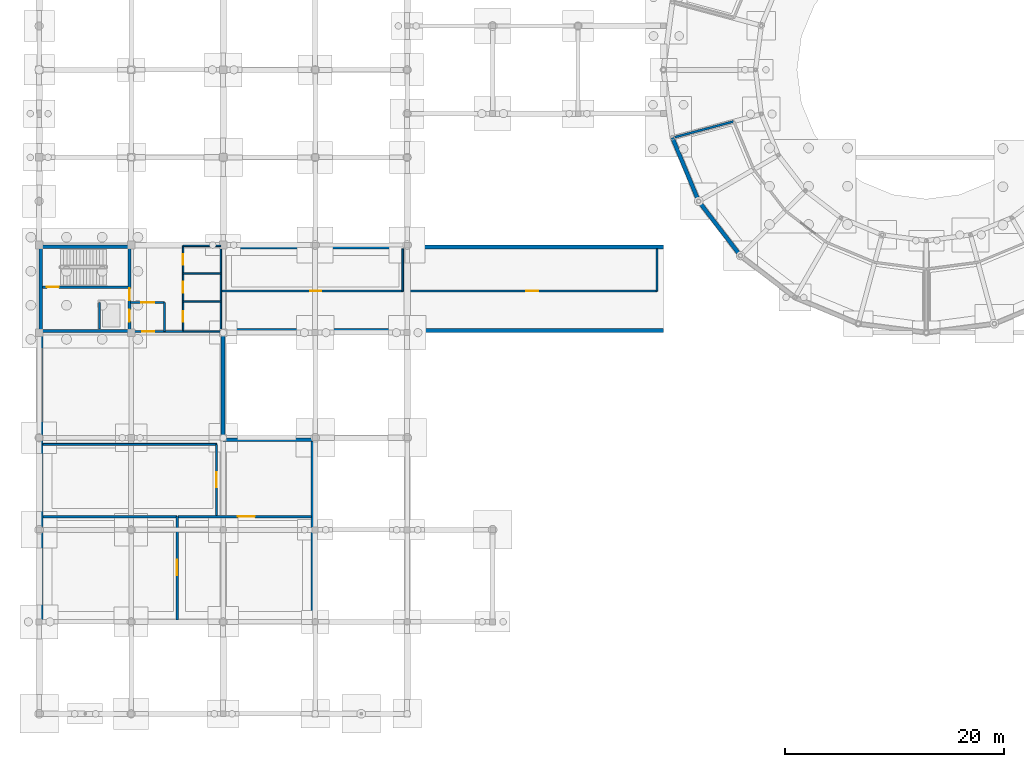
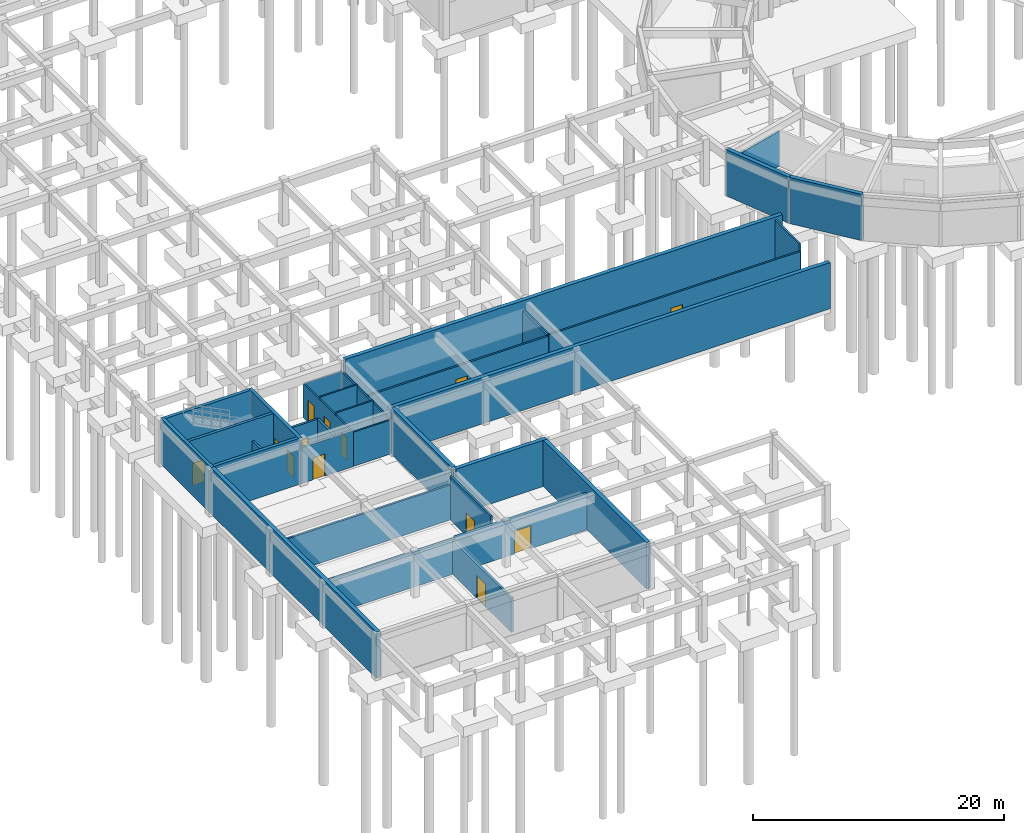
# One storey, part 29 of 43: 33 walls, 13 doors, 13 openings.
"""IFC4 building model written with IfcOpenShell, lengths in metres."""

from ifc_helpers import new_model, si_unit, derived_unit, direction, frame, frame_2d, origin, place, context, subcontext, project, spatial, rectangle, extrude, material, layer, layer_set, type_object, element, fill, save


model = new_model("IFC4")

# Units and contexts
model_context = context("Model", 3, precision=1e-05, world=origin(), true_north=direction((0.0, 1.0)))
body_context = subcontext(model_context, "Body", "Model", "MODEL_VIEW")
ifc_project = project(units=[si_unit("LENGTHUNIT", "METRE"), si_unit("AREAUNIT", "SQUARE_METRE"), si_unit("VOLUMEUNIT", "CUBIC_METRE"), si_unit("PLANEANGLEUNIT", "RADIAN"), si_unit("MASSUNIT", "GRAM", prefix="KILO"), derived_unit("THERMALTRANSMITTANCEUNIT", [(si_unit("POWERUNIT", "WATT"), 1), (si_unit("AREAUNIT", "SQUARE_METRE"), -1), (si_unit("THERMODYNAMICTEMPERATUREUNIT", "KELVIN"), -1)])], contexts=[model_context])

# Site, building, storey
site_placement = place(None, origin())
site = spatial("IfcSite", under=ifc_project, at=site_placement, CompositionType="ELEMENT")
building_placement = place(site_placement, origin())
building = spatial("IfcBuilding", under=site, at=building_placement, Name="Yasenodar Specialist Clinic", CompositionType="ELEMENT")
storey_placement = place(building_placement, frame((0.0, 0.0, -4.5)))
storey = spatial("IfcBuildingStorey", under=building, at=storey_placement, Name="B1", CompositionType="ELEMENT", Elevation=-4.5)

# Wall, opening, door
ifc_material_1 = material(Name="Acoustic Double-Gypsum Consulting Partition")
ifc_layer_1 = layer(ifc_material_1, 0.159912109375)
ifc_layer_set_1 = layer_set([ifc_layer_1], Name="Acoustic Double-Gypsum Consulting Partition")
wall_type_1 = type_object("IfcWallType", Name="IW-CONS-160", PredefinedType="PARTITIONING", material=ifc_layer_set_1)
wall_1_placement = place(storey_placement, frame((56.39990234375, 38.60009765625, 0.0), z_axis=(0.0, 0.0, 1.0), x_axis=(-1.0, 0.0, 0.0)))
wall_1 = element("IfcWall", 1, at=wall_1_placement, inside=storey, type_object=wall_type_1, Name="B1 Clean Medical Linen Store Partition", PredefinedType="PARTITIONING", context=body_context, shape_type="SweptSolid", body=[
    extrude(rectangle(XDim=23.135009765625, YDim=0.159912109375, at=frame_2d((11.5673828125, 0.0))), origin(), (0.0, 0.0, 1.0), 3.512939453125),
])
opening_1_placement = place(wall_1_placement, frame((10.85009765625, 0.0, 0.0)))
opening_1 = element("IfcOpeningElement", 2, at=opening_1_placement, cuts=wall_1, Name="Opening D-04", PredefinedType="OPENING", context=body_context, shape_type="SweptSolid", body=[
    extrude(rectangle(XDim=1.06005859375, YDim=2.159912109375, at=frame_2d((0.530029296875, 1.080078125))), frame((0.0, 0.08984375, 0.0), z_axis=(0.0, -1.0, 0.0), x_axis=(1.0, 0.0, 0.0)), (0.0, 0.0, 1.0), 0.179931640625),
])
ifc_material_2 = material(Name="Powder-Coated Steel and Acoustic Laminate Leaf", Category="steel")
door_type_1 = type_object("IfcDoorType", Name="DR-CLN-106", OperationType="NOTDEFINED", PredefinedType="DOOR", material=ifc_material_2)
door_1_placement = place(opening_1_placement, origin())
door_1 = element("IfcDoor", 3, at=door_1_placement, inside=storey, type_object=door_type_1, Name="B1 Clean Medical Linen Store Door", OperationType="SINGLE_SWING_LEFT", OverallHeight=2.159912109375, OverallWidth=1.06005859375, PredefinedType="DOOR", context=body_context, shape_type="SweptSolid", body=[
    extrude(rectangle(XDim=1.06005859375, YDim=2.159912109375, at=frame_2d((0.530029296875, 1.080078125))), frame((0.0, 0.02490234375, 0.0), z_axis=(0.0, -1.0, 0.0), x_axis=(1.0, 0.0, 0.0)), (0.0, 0.0, 1.0), 0.050048828125),
])
fill(opening_1, door_1)

# Wall
wall_2_placement = place(storey_placement, frame((56.39990234375, 42.4599609375, 0.0), z_axis=(0.0, 0.0, 1.0), x_axis=(0.0, -1.0, 0.0)))
element("IfcWall", 4, at=wall_2_placement, inside=storey, type_object=wall_type_1, Name="B1 Clean Medical Linen Store Partition", PredefinedType="PARTITIONING", context=body_context, shape_type="SweptSolid", body=[
    extrude(rectangle(XDim=3.85986328125, YDim=0.159912109375, at=frame_2d((1.929931640625, 0.0))), origin(), (0.0, 0.0, 1.0), 4.22998046875),
])

# Wall, opening, door
ifc_material_3 = material(Name="Cleanroom Laboratory Partition")
ifc_layer_2 = layer(ifc_material_3, 0.169921875)
ifc_layer_set_2 = layer_set([ifc_layer_2], Name="Cleanroom Laboratory Partition")
wall_type_2 = type_object("IfcWallType", Name="IW-LAB-170", PredefinedType="PARTITIONING", material=ifc_layer_set_2)
wall_3_placement = place(storey_placement, frame((33.199951171875, 38.60009765625, 0.0), z_axis=(0.0, 0.0, 1.0), x_axis=(-1.0, 0.0, 0.0)))
wall_3 = element("IfcWall", 5, at=wall_3_placement, inside=storey, type_object=wall_type_2, Name="B1 Medical Gas Manifold Room Partition", PredefinedType="PARTITIONING", context=body_context, shape_type="SweptSolid", body=[
    extrude(rectangle(XDim=16.550048828125, YDim=0.169921875, at=frame_2d((8.27490234375, 0.0))), origin(), (0.0, 0.0, 1.0), 3.4130859375),
])
opening_2_placement = place(wall_3_placement, frame((7.449951171875, 0.0, 0.0)))
opening_2 = element("IfcOpeningElement", 6, at=opening_2_placement, cuts=wall_3, Name="Opening D-03", PredefinedType="OPENING", context=body_context, shape_type="SweptSolid", body=[
    extrude(rectangle(XDim=1.02001953125, YDim=2.14990234375, at=frame_2d((0.510009765625, 1.074951171875))), frame((0.0, 0.094970703125, 0.0), z_axis=(0.0, -1.0, 0.0), x_axis=(1.0, 0.0, 0.0)), (0.0, 0.0, 1.0), 0.18994140625),
])
door_type_2 = type_object("IfcDoorType", Name="DR-CLN-102", OperationType="NOTDEFINED", PredefinedType="DOOR", material=ifc_material_2)
door_2_placement = place(opening_2_placement, origin())
door_2 = element("IfcDoor", 7, at=door_2_placement, inside=storey, type_object=door_type_2, Name="B1 Medical Gas Manifold Room Door", OperationType="SINGLE_SWING_RIGHT", OverallHeight=2.14990234375, OverallWidth=1.02001953125, PredefinedType="DOOR", context=body_context, shape_type="SweptSolid", body=[
    extrude(rectangle(XDim=1.02001953125, YDim=2.14990234375, at=frame_2d((0.510009765625, 1.074951171875))), frame((0.0, 0.02490234375, 0.0), z_axis=(0.0, -1.0, 0.0), x_axis=(1.0, 0.0, 0.0)), (0.0, 0.0, 1.0), 0.050048828125),
])
fill(opening_2, door_2)

# Wall
wall_4_placement = place(storey_placement, frame((33.199951171875, 42.4599609375, 0.0), z_axis=(0.0, 0.0, 1.0), x_axis=(0.0, -1.0, 0.0)))
element("IfcWall", 8, at=wall_4_placement, inside=storey, type_object=wall_type_2, Name="B1 Medical Gas Manifold Room Partition", PredefinedType="PARTITIONING", context=body_context, shape_type="SweptSolid", body=[
    extrude(rectangle(XDim=3.85986328125, YDim=0.169921875, at=frame_2d((1.929931640625, 0.0))), origin(), (0.0, 0.0, 1.0), 3.512939453125),
])

# Wall, opening, door
ifc_material_4 = material(Name="Shielded CT Control Partition")
ifc_layer_3 = layer(ifc_material_4, 0.22998046875)
ifc_layer_set_3 = layer_set([ifc_layer_3], Name="Shielded CT Control Partition")
wall_type_3 = type_object("IfcWallType", Name="IW-LEAD-230", PredefinedType="PARTITIONING", material=ifc_layer_set_3)
wall_5_placement = place(storey_placement, frame((12.60009765625, 18.0, 0.0), z_axis=(0.0, 0.0, 1.0), x_axis=(0.0, -1.0, 0.0)))
wall_5 = element("IfcWall", 9, at=wall_5_placement, inside=storey, type_object=wall_type_3, Name="B1 Radiopharmacy and Isotope Bunker Partition", PredefinedType="PARTITIONING", context=body_context, shape_type="SweptSolid", body=[
    extrude(rectangle(XDim=9.43994140625, YDim=0.22998046875, at=frame_2d((4.719970703125, 0.0))), origin(), (0.0, 0.0, 1.0), 3.31298828125),
])
opening_3_placement = place(wall_5_placement, frame((3.949951171875, 0.0, 0.0)))
opening_3 = element("IfcOpeningElement", 10, at=opening_3_placement, cuts=wall_5, Name="Opening XD-01", PredefinedType="OPENING", context=body_context, shape_type="SweptSolid", body=[
    extrude(rectangle(XDim=1.39990234375, YDim=2.199951171875, at=frame_2d((0.699951171875, 1.10009765625))), frame((0.0, 0.125, 0.0), z_axis=(0.0, -1.0, 0.0), x_axis=(1.0, 0.0, 0.0)), (0.0, 0.0, 1.0), 0.25),
])
ifc_material_5 = material(Name="Fire-Rated Insulated Steel Door", Category="steel")
door_type_3 = type_object("IfcDoorType", Name="DR-LEAD-140", OperationType="NOTDEFINED", PredefinedType="DOOR", material=ifc_material_5)
door_3_placement = place(opening_3_placement, origin())
door_3 = element("IfcDoor", 11, at=door_3_placement, inside=storey, type_object=door_type_3, Name="B1 Radiopharmacy and Isotope Bunker Door", OperationType="SINGLE_SWING_RIGHT", OverallHeight=2.199951171875, OverallWidth=1.39990234375, PredefinedType="DOOR", context=body_context, shape_type="SweptSolid", body=[
    extrude(rectangle(XDim=1.39990234375, YDim=2.199951171875, at=frame_2d((0.699951171875, 1.10009765625))), frame((0.0, 0.02490234375, 0.0), z_axis=(0.0, -1.0, 0.0), x_axis=(1.0, 0.0, 0.0)), (0.0, 0.0, 1.0), 0.050048828125),
])
fill(opening_3, door_3)

# Wall
wall_6_placement = place(storey_placement, frame((0.340087890625, 18.0, 0.0), z_axis=(0.0, 0.0, 1.0), x_axis=(1.0, 0.0, 0.0)))
element("IfcWall", 12, at=wall_6_placement, inside=storey, type_object=wall_type_3, Name="B1 Radiopharmacy and Isotope Bunker Partition", PredefinedType="PARTITIONING", context=body_context, shape_type="SweptSolid", body=[
    extrude(rectangle(XDim=12.260009765625, YDim=0.22998046875, at=frame_2d((6.1298828125, 0.0))), origin(), (0.0, 0.0, 1.0), 3.4130859375),
])

# Wall, opening, door
ifc_material_6 = material(Name="Barium-Plaster and Lead-Lined X-Ray Wall")
ifc_layer_4 = layer(ifc_material_6, 0.2548828125)
ifc_layer_set_4 = layer_set([ifc_layer_4], Name="Barium-Plaster and Lead-Lined X-Ray Wall")
wall_type_4 = type_object("IfcWallType", Name="IW-LEAD-255", PredefinedType="PARTITIONING", material=ifc_layer_set_4)
wall_7_placement = place(storey_placement, frame((12.695068359375, 18.0, 0.0), z_axis=(0.0, 0.0, 1.0), x_axis=(1.0, 0.0, 0.0)))
wall_7 = element("IfcWall", 13, at=wall_7_placement, inside=storey, type_object=wall_type_4, Name="B1 MRI Chiller and Quench Plant Room Partition", PredefinedType="PARTITIONING", context=body_context, shape_type="SweptSolid", body=[
    extrude(rectangle(XDim=12.1650390625, YDim=0.2548828125, at=frame_2d((6.08251953125, 0.0))), origin(), (0.0, 0.0, 1.0), 3.512939453125),
])
opening_4_placement = place(wall_7_placement, frame((5.455078125, 0.0, 0.0)))
opening_4 = element("IfcOpeningElement", 14, at=opening_4_placement, cuts=wall_7, Name="Opening XD-02", PredefinedType="OPENING", context=body_context, shape_type="SweptSolid", body=[
    extrude(rectangle(XDim=1.550048828125, YDim=2.219970703125, at=frame_2d((0.77490234375, 1.10986328125))), frame((0.0, 0.137451171875, 0.0), z_axis=(0.0, -1.0, 0.0), x_axis=(1.0, 0.0, 0.0)), (0.0, 0.0, 1.0), 0.27490234375),
])
door_type_4 = type_object("IfcDoorType", Name="DR-LEAD-155", OperationType="DOUBLE_DOOR_SINGLE_SWING", PredefinedType="DOOR", material=ifc_material_5)
door_4_placement = place(opening_4_placement, origin())
door_4 = element("IfcDoor", 15, at=door_4_placement, inside=storey, type_object=door_type_4, Name="B1 MRI Chiller and Quench Plant Room Door", OperationType="DOUBLE_DOOR_SINGLE_SWING", OverallHeight=2.219970703125, OverallWidth=1.550048828125, PredefinedType="DOOR", context=body_context, shape_type="SweptSolid", body=[
    extrude(rectangle(XDim=1.550048828125, YDim=2.219970703125, at=frame_2d((0.77490234375, 1.10986328125))), frame((0.0, 0.02490234375, 0.0), z_axis=(0.0, -1.0, 0.0), x_axis=(1.0, 0.0, 0.0)), (0.0, 0.0, 1.0), 0.050048828125),
])
fill(opening_4, door_4)

ifc_material_7 = material(Name="Fire-Rated Gypsum and Mineral-Wool Wall")
ifc_layer_5 = layer(ifc_material_7, 0.195068359375)
ifc_layer_set_5 = layer_set([ifc_layer_5], Name="Fire-Rated Gypsum and Mineral-Wool Wall")
wall_type_5 = type_object("IfcWallType", Name="IW-LOBBY-195", PredefinedType="PARTITIONING", material=ifc_layer_set_5)
wall_8_placement = place(storey_placement, frame((8.35009765625, 37.550048828125, 0.0), z_axis=(0.0, 0.0, 1.0), x_axis=(1.0, 0.0, 0.0)))
wall_8 = element("IfcWall", 16, at=wall_8_placement, inside=storey, type_object=wall_type_5, Name="B1 C1 Passenger Lift Lobby North Wall", PredefinedType="PARTITIONING", context=body_context, shape_type="SweptSolid", body=[
    extrude(rectangle(XDim=3.099853515625, YDim=0.195068359375, at=frame_2d((1.5498046875, 0.0))), origin(), (0.0, 0.0, 1.0), 3.613037109375),
])
opening_5_placement = place(wall_8_placement, frame((0.949951171875, 0.0, 0.0)))
opening_5 = element("IfcOpeningElement", 17, at=opening_5_placement, cuts=wall_8, Name="Opening FD-02", PredefinedType="OPENING", context=body_context, shape_type="SweptSolid", body=[
    extrude(rectangle(XDim=1.199951171875, YDim=2.14990234375, at=frame_2d((0.60009765625, 1.074951171875))), frame((0.0, 0.107421875, 0.0), z_axis=(0.0, -1.0, 0.0), x_axis=(1.0, 0.0, 0.0)), (0.0, 0.0, 1.0), 0.215087890625),
])
door_type_5 = type_object("IfcDoorType", Name="DR-FD-120", OperationType="NOTDEFINED", PredefinedType="DOOR", material=ifc_material_5)
door_5_placement = place(opening_5_placement, origin())
door_5 = element("IfcDoor", 18, at=door_5_placement, inside=storey, type_object=door_type_5, Name="B1 C1 Passenger Lift Lobby Door", OperationType="SINGLE_SWING_LEFT", OverallHeight=2.14990234375, OverallWidth=1.199951171875, PredefinedType="DOOR", context=body_context, shape_type="SweptSolid", body=[
    extrude(rectangle(XDim=1.199951171875, YDim=2.14990234375, at=frame_2d((0.60009765625, 1.074951171875))), frame((0.0, 0.02490234375, 0.0), z_axis=(0.0, -1.0, 0.0), x_axis=(1.0, 0.0, 0.0)), (0.0, 0.0, 1.0), 0.050048828125),
])
fill(opening_5, door_5)

# Wall
wall_9_placement = place(storey_placement, frame((11.449951171875, 34.89990234375, 0.0), z_axis=(0.0, 0.0, 1.0), x_axis=(0.0, 1.0, 0.0)))
element("IfcWall", 19, at=wall_9_placement, inside=storey, type_object=wall_type_5, Name="B1 C1 Passenger Lift Lobby East Wall", PredefinedType="PARTITIONING", context=body_context, shape_type="SweptSolid", body=[
    extrude(rectangle(XDim=2.650146484375, YDim=0.195068359375, at=frame_2d((1.3251953125, 0.0))), origin(), (0.0, 0.0, 1.0), 3.613037109375),
])

# Wall, opening, door
wall_10_placement = place(storey_placement, frame((8.35009765625, 34.89990234375, 0.0), z_axis=(0.0, 0.0, 1.0), x_axis=(1.0, 0.0, 0.0)))
wall_10 = element("IfcWall", 20, at=wall_10_placement, inside=storey, type_object=wall_type_5, Name="B1 C1 Passenger Lift Lobby South Wall", PredefinedType="PARTITIONING", context=body_context, shape_type="SweptSolid", body=[
    extrude(rectangle(XDim=4.7998046875, YDim=0.195068359375, at=frame_2d((2.39990234375, 0.0))), origin(), (0.0, 0.0, 1.0), 3.512939453125),
])
opening_6_placement = place(wall_10_placement, frame((1.050048828125, 0.0, 0.0)))
opening_6 = element("IfcOpeningElement", 21, at=opening_6_placement, cuts=wall_10, Name="Opening FD-01", PredefinedType="OPENING", context=body_context, shape_type="SweptSolid", body=[
    extrude(rectangle(XDim=1.10009765625, YDim=2.14990234375, at=frame_2d((0.550048828125, 1.074951171875))), frame((0.0, 0.107421875, 0.0), z_axis=(0.0, -1.0, 0.0), x_axis=(1.0, 0.0, 0.0)), (0.0, 0.0, 1.0), 0.215087890625),
])
door_type_6 = type_object("IfcDoorType", Name="DR-FD-110", OperationType="NOTDEFINED", PredefinedType="DOOR", material=ifc_material_5)
door_6_placement = place(opening_6_placement, origin())
door_6 = element("IfcDoor", 22, at=door_6_placement, inside=storey, type_object=door_type_6, Name="B1 C1 South Spine Door", OperationType="SINGLE_SWING_RIGHT", OverallHeight=2.14990234375, OverallWidth=1.10009765625, PredefinedType="DOOR", context=body_context, shape_type="SweptSolid", body=[
    extrude(rectangle(XDim=1.10009765625, YDim=2.14990234375, at=frame_2d((0.550048828125, 1.074951171875))), frame((0.0, 0.02490234375, 0.0), z_axis=(0.0, -1.0, 0.0), x_axis=(1.0, 0.0, 0.0)), (0.0, 0.0, 1.0), 0.050048828125),
])
fill(opening_6, door_6)

ifc_material_8 = material(Name="Hygienic Double-Stud Clinical Partition")
ifc_layer_6 = layer(ifc_material_8, 0.179931640625)
ifc_layer_set_6 = layer_set([ifc_layer_6], Name="Hygienic Double-Stud Clinical Partition")
wall_type_6 = type_object("IfcWallType", Name="IW-PROC-180", PredefinedType="PARTITIONING", material=ifc_layer_set_6)
wall_11_placement = place(storey_placement, frame((16.199951171875, 24.60009765625, 0.0), z_axis=(0.0, 0.0, 1.0), x_axis=(0.0, -1.0, 0.0)))
wall_11 = element("IfcWall", 23, at=wall_11_placement, inside=storey, type_object=wall_type_6, Name="B1 Biomedical Engineering Workshop Partition", PredefinedType="PARTITIONING", context=body_context, shape_type="SweptSolid", body=[
    extrude(rectangle(XDim=6.49267578125, YDim=0.179931640625, at=frame_2d((3.246337890625, 0.0))), origin(), (0.0, 0.0, 1.0), 4.22998046875),
])
opening_7_placement = place(wall_11_placement, frame((2.550048828125, 0.0, 0.0)))
opening_7 = element("IfcOpeningElement", 24, at=opening_7_placement, cuts=wall_11, Name="Opening D-11", PredefinedType="OPENING", context=body_context, shape_type="SweptSolid", body=[
    extrude(rectangle(XDim=1.360107421875, YDim=2.199951171875, at=frame_2d((0.68017578125, 1.10009765625))), frame((0.0, 0.10009765625, 0.0), z_axis=(0.0, -1.0, 0.0), x_axis=(1.0, 0.0, 0.0)), (0.0, 0.0, 1.0), 0.199951171875),
])
door_type_7 = type_object("IfcDoorType", Name="DR-PLT-136", OperationType="NOTDEFINED", PredefinedType="DOOR", material=ifc_material_2)
door_7_placement = place(opening_7_placement, origin())
door_7 = element("IfcDoor", 25, at=door_7_placement, inside=storey, type_object=door_type_7, Name="B1 Biomedical Engineering Workshop Door", OperationType="SINGLE_SWING_LEFT", OverallHeight=2.199951171875, OverallWidth=1.360107421875, PredefinedType="DOOR", context=body_context, shape_type="SweptSolid", body=[
    extrude(rectangle(XDim=1.360107421875, YDim=2.199951171875, at=frame_2d((0.68017578125, 1.10009765625))), frame((0.0, 0.02490234375, 0.0), z_axis=(0.0, -1.0, 0.0), x_axis=(1.0, 0.0, 0.0)), (0.0, 0.0, 1.0), 0.050048828125),
])
fill(opening_7, door_7)

# Walls
wall_12_placement = place(storey_placement, frame((0.340087890625, 24.60009765625, 0.0), z_axis=(0.0, 0.0, 1.0), x_axis=(1.0, 0.0, 0.0)))
element("IfcWall", 26, at=wall_12_placement, inside=storey, type_object=wall_type_6, Name="B1 Biomedical Engineering Workshop Partition", PredefinedType="PARTITIONING", context=body_context, shape_type="SweptSolid", body=[
    extrude(rectangle(XDim=15.85986328125, YDim=0.179931640625, at=frame_2d((7.929931640625, 0.0))), origin(), (0.0, 0.0, 1.0), 3.4130859375),
])
ifc_material_9 = material(Name="Aerated Concrete Blockwork Fire Shaft Wall", Category="masonry")
ifc_layer_7 = layer(ifc_material_9, 0.205078125)
ifc_layer_set_7 = layer_set([ifc_layer_7], Name="Aerated Concrete Blockwork Fire Shaft Wall")
wall_type_7 = type_object("IfcWallType", Name="IW-SHAFT-205", PredefinedType="PARTITIONING", material=ifc_layer_set_7)
wall_13_placement = place(storey_placement, frame((5.5, 35.14990234375, 0.0), z_axis=(0.0, 0.0, 1.0), x_axis=(0.0, 1.0, 0.0)))
element("IfcWall", 27, at=wall_13_placement, inside=storey, type_object=wall_type_7, Name="B1 LF-01 Lift Shaft Side Wall", PredefinedType="PARTITIONING", context=body_context, shape_type="SweptSolid", body=[
    extrude(rectangle(XDim=2.400146484375, YDim=0.205078125, at=frame_2d((1.2001953125, 0.0))), origin(), (0.0, 0.0, 1.0), 3.512939453125),
])
wall_14_placement = place(storey_placement, frame((57.973876953125, 52.630126953125, 0.0), z_axis=(0.0, 0.0, 1.0), x_axis=(0.965919445688, 0.258842856658, 0.0)))
element("IfcWall", 28, at=wall_14_placement, inside=storey, type_object=wall_type_7, Name="B1 Reverse Osmosis Dialysis Water Plant Partition", PredefinedType="PARTITIONING", context=body_context, shape_type="SweptSolid", body=[
    extrude(rectangle(XDim=5.638427734375, YDim=0.205078125, at=frame_2d((2.8193359375, 0.0))), origin(), (0.0, 0.0, 1.0), 3.4130859375),
])

# Wall, openings, doors
ifc_material_10 = material(Name="Moisture-Resistant Sanitary Partition")
ifc_layer_8 = layer(ifc_material_10, 0.139892578125)
ifc_layer_set_8 = layer_set([ifc_layer_8], Name="Moisture-Resistant Sanitary Partition")
wall_type_8 = type_object("IfcWallType", Name="IW-WET-140", PredefinedType="PARTITIONING", material=ifc_layer_set_8)
wall_15_placement = place(storey_placement, frame((13.14990234375, 34.89990234375, 0.0), z_axis=(0.0, 0.0, 1.0), x_axis=(0.0, 1.0, 0.0)))
wall_15 = element("IfcWall", 29, at=wall_15_placement, inside=storey, type_object=wall_type_8, Name="B1 West Sanitary Block Corridor Wall", PredefinedType="PARTITIONING", context=body_context, shape_type="SweptSolid", body=[
    extrude(rectangle(XDim=7.820068359375, YDim=0.139892578125, at=frame_2d((3.91015625, 0.0))), origin(), (0.0, 0.0, 1.0), 3.31298828125),
])
opening_8_placement = place(wall_15_placement, frame((0.89990234375, 0.0, 0.0)))
opening_8 = element("IfcOpeningElement", 30, at=opening_8_placement, cuts=wall_15, Name="Opening D-01", PredefinedType="OPENING", context=body_context, shape_type="SweptSolid", body=[
    extrude(rectangle(XDim=0.949951171875, YDim=2.1201171875, at=frame_2d((0.47509765625, 1.06005859375))), frame((0.0, 0.080078125, 0.0), z_axis=(0.0, -1.0, 0.0), x_axis=(1.0, 0.0, 0.0)), (0.0, 0.0, 1.0), 0.159912109375),
])
opening_9_placement = place(wall_15_placement, frame((3.550048828125, 0.0, 0.0)))
opening_9 = element("IfcOpeningElement", 31, at=opening_9_placement, cuts=wall_15, Name="Opening D-02", PredefinedType="OPENING", context=body_context, shape_type="SweptSolid", body=[
    extrude(rectangle(XDim=0.97998046875, YDim=2.139892578125, at=frame_2d((0.489990234375, 1.06982421875))), frame((0.0, 0.080078125, 0.0), z_axis=(0.0, -1.0, 0.0), x_axis=(1.0, 0.0, 0.0)), (0.0, 0.0, 1.0), 0.159912109375),
])
opening_10_placement = place(wall_15_placement, frame((6.080078125, 0.0, 0.0)))
opening_10 = element("IfcOpeningElement", 32, at=opening_10_placement, cuts=wall_15, Name="Opening D-02", PredefinedType="OPENING", context=body_context, shape_type="SweptSolid", body=[
    extrude(rectangle(XDim=0.97998046875, YDim=2.139892578125, at=frame_2d((0.489990234375, 1.06982421875))), frame((0.0, 0.080078125, 0.0), z_axis=(0.0, -1.0, 0.0), x_axis=(1.0, 0.0, 0.0)), (0.0, 0.0, 1.0), 0.159912109375),
])
door_type_8 = type_object("IfcDoorType", Name="DR-CLN-095", OperationType="NOTDEFINED", PredefinedType="DOOR", material=ifc_material_2)
door_8_placement = place(opening_8_placement, origin())
door_8 = element("IfcDoor", 33, at=door_8_placement, inside=storey, type_object=door_type_8, Name="B1 Accessible WC Door", OperationType="SINGLE_SWING_LEFT", OverallHeight=2.1201171875, OverallWidth=0.949951171875, PredefinedType="DOOR", context=body_context, shape_type="SweptSolid", body=[
    extrude(rectangle(XDim=0.949951171875, YDim=2.1201171875, at=frame_2d((0.47509765625, 1.06005859375))), frame((0.0, 0.02490234375, 0.0), z_axis=(0.0, -1.0, 0.0), x_axis=(1.0, 0.0, 0.0)), (0.0, 0.0, 1.0), 0.050048828125),
])
fill(opening_8, door_8)
door_type_9 = type_object("IfcDoorType", Name="DR-CLN-098", OperationType="NOTDEFINED", PredefinedType="DOOR", material=ifc_material_2)
door_9_placement = place(opening_9_placement, origin())
door_9 = element("IfcDoor", 34, at=door_9_placement, inside=storey, type_object=door_type_9, Name="B1 Patient Washroom WC Door", OperationType="SINGLE_SWING_RIGHT", OverallHeight=2.139892578125, OverallWidth=0.97998046875, PredefinedType="DOOR", context=body_context, shape_type="SweptSolid", body=[
    extrude(rectangle(XDim=0.97998046875, YDim=2.139892578125, at=frame_2d((0.489990234375, 1.06982421875))), frame((0.0, 0.02490234375, 0.0), z_axis=(0.0, -1.0, 0.0), x_axis=(1.0, 0.0, 0.0)), (0.0, 0.0, 1.0), 0.050048828125),
])
fill(opening_9, door_9)
door_10_placement = place(opening_10_placement, origin())
door_10 = element("IfcDoor", 35, at=door_10_placement, inside=storey, type_object=door_type_9, Name="B1 Staff Washroom WC Door", OperationType="SINGLE_SWING_LEFT", OverallHeight=2.139892578125, OverallWidth=0.97998046875, PredefinedType="DOOR", context=body_context, shape_type="SweptSolid", body=[
    extrude(rectangle(XDim=0.97998046875, YDim=2.139892578125, at=frame_2d((0.489990234375, 1.06982421875))), frame((0.0, 0.02490234375, 0.0), z_axis=(0.0, -1.0, 0.0), x_axis=(1.0, 0.0, 0.0)), (0.0, 0.0, 1.0), 0.050048828125),
])
fill(opening_10, door_10)

# Walls
wall_16_placement = place(storey_placement, frame((16.60009765625, 34.89990234375, 0.0), z_axis=(0.0, 0.0, 1.0), x_axis=(0.0, 1.0, 0.0)))
element("IfcWall", 36, at=wall_16_placement, inside=storey, type_object=wall_type_8, Name="B1 West Sanitary Block East Wall", PredefinedType="PARTITIONING", context=body_context, shape_type="SweptSolid", body=[
    extrude(rectangle(XDim=7.820068359375, YDim=0.139892578125, at=frame_2d((3.91015625, 0.0))), origin(), (0.0, 0.0, 1.0), 3.31298828125),
])
for number, where, z_axis, x_axis, name in (
    (37, (13.14990234375, 34.89990234375, 0.0), (0.0, 0.0, 1.0), (1.0, 0.0, 0.0), "B1 West Sanitary Block South Wall"),
    (38, (13.14990234375, 42.719970703125, 0.0), (0.0, 0.0, 1.0), (1.0, 0.0, 0.0), "B1 West Sanitary Block North Wall"),
):
    element("IfcWall", number, at=place(storey_placement, frame(where, z_axis=z_axis, x_axis=x_axis)), inside=storey, type_object=wall_type_8, Name=name, PredefinedType="PARTITIONING", context=body_context, shape_type="SweptSolid", body=[
        extrude(rectangle(XDim=3.4501953125, YDim=0.139892578125, at=frame_2d((1.72509765625, 0.0))), origin(), (0.0, 0.0, 1.0), 3.31298828125),
    ])
for number, where, z_axis, x_axis, name in (
    (39, (13.14990234375, 37.659912109375, 0.0), (0.0, 0.0, 1.0), (1.0, 0.0, 0.0), "B1 West Accessible WC Divider Wall"),
    (40, (13.14990234375, 40.2099609375, 0.0), (0.0, 0.0, 1.0), (1.0, 0.0, 0.0), "B1 West Patient and Staff WC Divider Wall"),
):
    element("IfcWall", number, at=place(storey_placement, frame(where, z_axis=z_axis, x_axis=x_axis)), inside=storey, type_object=wall_type_8, Name=name, PredefinedType="PARTITIONING", context=body_context, shape_type="SweptSolid", body=[
        extrude(rectangle(XDim=3.4501953125, YDim=0.139892578125, at=frame_2d((1.72509765625, 0.0))), origin(), (0.0, 0.0, 1.0), 3.512939453125),
    ])

# Wall, opening, door
ifc_material_11 = material(Name="Concrete C35/45", Category="concrete")
ifc_layer_9 = layer(ifc_material_11, 0.25)
ifc_layer_set_9 = layer_set([ifc_layer_9], Name="Concrete C35/45")
wall_type_9 = type_object("IfcWallType", Name="WL-CORE-250", PredefinedType="SHEAR", material=ifc_layer_set_9)
wall_17_placement = place(storey_placement, frame((0.300048828125, 38.949951171875, 0.0), z_axis=(0.0, 0.0, 1.0), x_axis=(1.0, 0.0, 0.0)))
wall_17 = element("IfcWall", 41, at=wall_17_placement, inside=storey, type_object=wall_type_9, Name="B1 Core C1 Central Spine Wall", PredefinedType="SHEAR", context=body_context, shape_type="SweptSolid", body=[
    extrude(rectangle(XDim=7.800048828125, YDim=0.25, at=frame_2d((3.89990234375, 0.0))), origin(), (0.0, 0.0, 1.0), 4.5),
])
opening_11_placement = place(wall_17_placement, frame((0.39990234375, 0.0, 0.0)))
opening_11 = element("IfcOpeningElement", 42, at=opening_11_placement, cuts=wall_17, Name="Opening FD-01", PredefinedType="OPENING", context=body_context, shape_type="SweptSolid", body=[
    extrude(rectangle(XDim=1.10009765625, YDim=2.14990234375, at=frame_2d((0.550048828125, 1.074951171875))), frame((0.0, 0.135009765625, 0.0), z_axis=(0.0, -1.0, 0.0), x_axis=(1.0, 0.0, 0.0)), (0.0, 0.0, 1.0), 0.27001953125),
])
door_11_placement = place(opening_11_placement, origin())
door_11 = element("IfcDoor", 43, at=door_11_placement, inside=storey, type_object=door_type_6, Name="B1 ST-01 Protected Stair Door", OperationType="SINGLE_SWING_LEFT", OverallHeight=2.14990234375, OverallWidth=1.10009765625, PredefinedType="DOOR", context=body_context, shape_type="SweptSolid", body=[
    extrude(rectangle(XDim=1.10009765625, YDim=2.14990234375, at=frame_2d((0.550048828125, 1.074951171875))), frame((0.0, 0.02490234375, 0.0), z_axis=(0.0, -1.0, 0.0), x_axis=(1.0, 0.0, 0.0)), (0.0, 0.0, 1.0), 0.050048828125),
])
fill(opening_11, door_11)

# Walls
ifc_layer_10 = layer(ifc_material_11, 0.300048828125)
ifc_layer_set_10 = layer_set([ifc_layer_10], Name="Concrete C35/45")
wall_type_10 = type_object("IfcWallType", Name="WL-CORE-300", PredefinedType="SHEAR", material=ifc_layer_set_10)
for number, where, z_axis, x_axis, name in (
    (44, (0.0, 42.64990234375, 0.0), (0.0, 0.0, 1.0), (1.0, 0.0, 0.0), "B1 Core C1 North Shear Wall"),
    (45, (0.0, 34.949951171875, 0.0), (0.0, 0.0, 1.0), (1.0, 0.0, 0.0), "B1 Core C1 South Shear Wall"),
):
    element("IfcWall", number, at=place(storey_placement, frame(where, z_axis=z_axis, x_axis=x_axis)), inside=storey, type_object=wall_type_10, Name=name, PredefinedType="SHEAR", context=body_context, shape_type="SweptSolid", body=[
        extrude(rectangle(XDim=8.39990234375, YDim=0.300048828125, at=frame_2d((4.199951171875, 0.0))), origin(), (0.0, 0.0, 1.0), 4.5),
    ])
wall_18_placement = place(storey_placement, frame((0.14990234375, 34.800048828125, 0.0), z_axis=(0.0, 0.0, 1.0), x_axis=(0.0, 1.0, 0.0)))
element("IfcWall", 46, at=wall_18_placement, inside=storey, type_object=wall_type_10, Name="B1 Core C1 West Shear Wall", PredefinedType="SHEAR", context=body_context, shape_type="SweptSolid", body=[
    extrude(rectangle(XDim=8.0, YDim=0.300048828125, at=frame_2d((4.0, 0.0))), origin(), (0.0, 0.0, 1.0), 4.5),
])

# Wall, openings, doors
wall_19_placement = place(storey_placement, frame((8.25, 34.800048828125, 0.0), z_axis=(0.0, 0.0, 1.0), x_axis=(0.0, 1.0, 0.0)))
wall_19 = element("IfcWall", 47, at=wall_19_placement, inside=storey, type_object=wall_type_10, Name="B1 Core C1 East Shear Wall", PredefinedType="SHEAR", context=body_context, shape_type="SweptSolid", body=[
    extrude(rectangle(XDim=8.0, YDim=0.300048828125, at=frame_2d((4.0, 0.0))), origin(), (0.0, 0.0, 1.0), 4.5),
])
opening_12_placement = place(wall_19_placement, frame((2.949951171875, 0.0, 0.0)))
opening_12 = element("IfcOpeningElement", 48, at=opening_12_placement, cuts=wall_19, Name="Opening FD-01", PredefinedType="OPENING", context=body_context, shape_type="SweptSolid", body=[
    extrude(rectangle(XDim=1.10009765625, YDim=2.14990234375, at=frame_2d((0.550048828125, 1.074951171875))), frame((0.0, 0.16015625, 0.0), z_axis=(0.0, -1.0, 0.0), x_axis=(1.0, 0.0, 0.0)), (0.0, 0.0, 1.0), 0.320068359375),
])
opening_13_placement = place(wall_19_placement, frame((1.0, 0.0, 0.0)))
opening_13 = element("IfcOpeningElement", 49, at=opening_13_placement, cuts=wall_19, Name="Opening LD-03", PredefinedType="OPENING", context=body_context, shape_type="SweptSolid", body=[
    extrude(rectangle(XDim=1.10009765625, YDim=2.10009765625, at=frame_2d((0.550048828125, 1.050048828125))), frame((0.0, 0.16015625, 0.0), z_axis=(0.0, -1.0, 0.0), x_axis=(1.0, 0.0, 0.0)), (0.0, 0.0, 1.0), 0.320068359375),
])
door_12_placement = place(opening_12_placement, origin())
door_12 = element("IfcDoor", 50, at=door_12_placement, inside=storey, type_object=door_type_6, Name="B1 Stair ST-01 Vestibule Door", OperationType="SINGLE_SWING_LEFT", OverallHeight=2.14990234375, OverallWidth=1.10009765625, PredefinedType="DOOR", context=body_context, shape_type="SweptSolid", body=[
    extrude(rectangle(XDim=1.10009765625, YDim=2.14990234375, at=frame_2d((0.550048828125, 1.074951171875))), frame((0.0, 0.02490234375, 0.0), z_axis=(0.0, -1.0, 0.0), x_axis=(1.0, 0.0, 0.0)), (0.0, 0.0, 1.0), 0.050048828125),
])
fill(opening_12, door_12)
door_type_10 = type_object("IfcDoorType", Name="DR-LD-110", OperationType="DOUBLE_DOOR_SLIDING", PredefinedType="DOOR", material=ifc_material_5)
door_13_placement = place(opening_13_placement, origin())
door_13 = element("IfcDoor", 51, at=door_13_placement, inside=storey, type_object=door_type_10, Name="B1 LF-01 Lift Landing Door", OperationType="DOUBLE_DOOR_SLIDING", OverallHeight=2.10009765625, OverallWidth=1.10009765625, PredefinedType="DOOR", context=body_context, shape_type="SweptSolid", body=[
    extrude(rectangle(XDim=1.10009765625, YDim=2.10009765625, at=frame_2d((0.550048828125, 1.050048828125))), frame((0.0, 0.02490234375, 0.0), z_axis=(0.0, -1.0, 0.0), x_axis=(1.0, 0.0, 0.0)), (0.0, 0.0, 1.0), 0.050048828125),
])
fill(opening_13, door_13)

# Walls
ifc_layer_11 = layer(ifc_material_11, 0.360107421875)
ifc_layer_set_11 = layer_set([ifc_layer_11], Name="Concrete C35/45")
wall_type_11 = type_object("IfcWallType", Name="WL-RET-360", PredefinedType="USERDEFINED", material=ifc_layer_set_11)
wall_20_placement = place(storey_placement, frame((25.02001953125, 8.39990234375, 0.0), z_axis=(0.0, 0.0, 1.0), x_axis=(0.0, 1.0, 0.0)))
element("IfcWall", 52, at=wall_20_placement, inside=storey, type_object=wall_type_11, Name="B1 Retaining Wall 02", ObjectType="RETAININGWALL", PredefinedType="USERDEFINED", context=body_context, shape_type="SweptSolid", body=[
    extrude(rectangle(XDim=16.800048828125, YDim=0.360107421875, at=frame_2d((8.39990234375, 0.0))), origin(), (0.0, 0.0, 1.0), 4.5),
])
wall_21_placement = place(storey_placement, frame((16.800048828125, 25.02001953125, 0.0), z_axis=(0.0, 0.0, 1.0), x_axis=(1.0, 0.0, 0.0)))
element("IfcWall", 53, at=wall_21_placement, inside=storey, type_object=wall_type_11, Name="B1 Retaining Wall 03", ObjectType="RETAININGWALL", PredefinedType="USERDEFINED", context=body_context, shape_type="SweptSolid", body=[
    extrude(rectangle(XDim=8.39990234375, YDim=0.360107421875, at=frame_2d((4.199951171875, 0.0))), origin(), (0.0, 0.0, 1.0), 4.5),
])
wall_22_placement = place(storey_placement, frame((16.800048828125, 25.199951171875, 0.0), z_axis=(0.0, 0.0, 1.0), x_axis=(0.0, 1.0, 0.0)))
element("IfcWall", 54, at=wall_22_placement, inside=storey, type_object=wall_type_11, Name="B1 Retaining Wall 04", ObjectType="RETAININGWALL", PredefinedType="USERDEFINED", context=body_context, shape_type="SweptSolid", body=[
    extrude(rectangle(XDim=9.60009765625, YDim=0.360107421875, at=frame_2d((4.800048828125, 0.0))), origin(), (0.0, 0.0, 1.0), 4.5),
])
for number, where, z_axis, x_axis, name in (
    (55, (16.800048828125, 34.97998046875, 0.0), (0.0, 0.0, 1.0), (1.0, 0.0, 0.0), "B1 Retaining Wall 05"),
    (56, (16.800048828125, 42.6201171875, 0.0), (0.0, 0.0, 1.0), (1.0, 0.0, 0.0), "B1 Retaining Wall 06"),
):
    element("IfcWall", number, at=place(storey_placement, frame(where, z_axis=z_axis, x_axis=x_axis)), inside=storey, type_object=wall_type_11, Name=name, ObjectType="RETAININGWALL", PredefinedType="USERDEFINED", context=body_context, shape_type="SweptSolid", body=[
        extrude(rectangle(XDim=40.199951171875, YDim=0.360107421875, at=frame_2d((20.10009765625, 0.0))), origin(), (0.0, 0.0, 1.0), 4.5),
    ])
wall_23_placement = place(storey_placement, frame((0.179931640625, 8.39990234375, 0.0), z_axis=(0.0, 0.0, 1.0), x_axis=(0.0, 1.0, 0.0)))
element("IfcWall", 57, at=wall_23_placement, inside=storey, type_object=wall_type_11, Name="B1 Retaining Wall 07", ObjectType="RETAININGWALL", PredefinedType="USERDEFINED", context=body_context, shape_type="SweptSolid", body=[
    extrude(rectangle(XDim=26.400146484375, YDim=0.360107421875, at=frame_2d((13.2001953125, 0.0))), origin(), (0.0, 0.0, 1.0), 4.5),
])
wall_24_placement = place(storey_placement, frame((57.81787109375, 52.58837890625, 0.0), z_axis=(0.0, 0.0, 1.0), x_axis=(0.382663829839, -0.9238876519, 0.0)))
element("IfcWall", 58, at=wall_24_placement, inside=storey, type_object=wall_type_11, Name="B1 Drum V1 Retaining Chord 14", ObjectType="RETAININGWALL", PredefinedType="USERDEFINED", context=body_context, shape_type="SweptSolid", body=[
    extrude(rectangle(XDim=6.26513671875, YDim=0.360107421875, at=frame_2d((3.132568359375, 0.0))), origin(), (0.0, 0.0, 1.0), 4.5),
])
wall_25_placement = place(storey_placement, frame((60.21533203125, 46.800048828125, 0.0), z_axis=(0.0, 0.0, 1.0), x_axis=(0.608742360322, -0.793367971845, 0.0)))
element("IfcWall", 59, at=wall_25_placement, inside=storey, type_object=wall_type_11, Name="B1 Drum V1 Retaining Chord 15", ObjectType="RETAININGWALL", PredefinedType="USERDEFINED", context=body_context, shape_type="SweptSolid", body=[
    extrude(rectangle(XDim=6.265380859375, YDim=0.360107421875, at=frame_2d((3.1328125, 0.0))), origin(), (0.0, 0.0, 1.0), 4.5),
])

save(model, "model.ifc")
